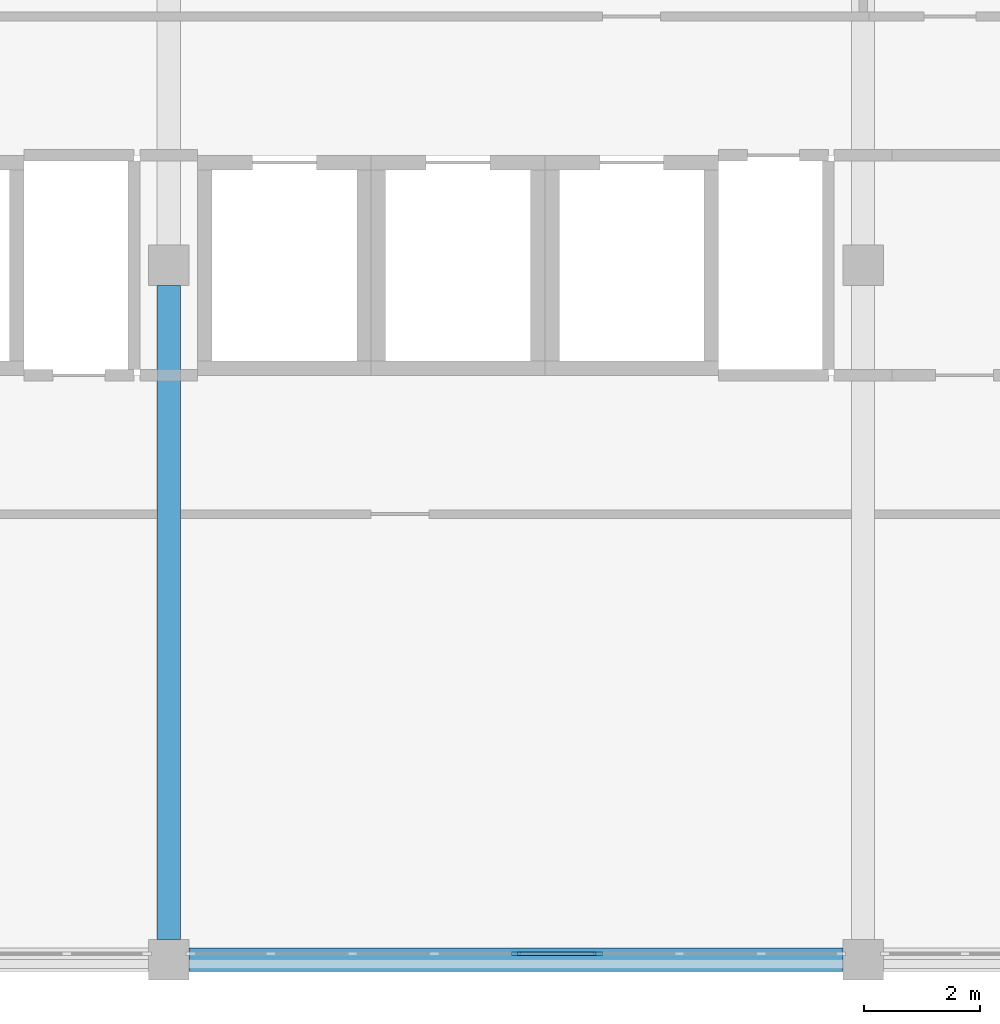
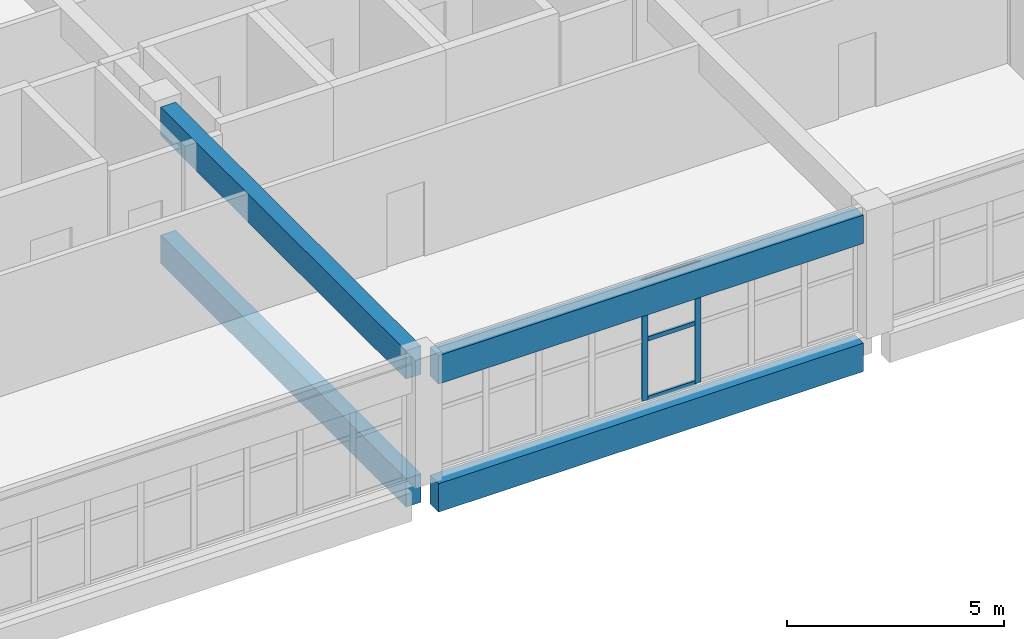
# One storey, part 4 of 16: 5 members, 4 beams, 1 element without a shape of its own.
"""IFC4 building model written with IfcOpenShell, lengths in metres."""

from ifc_helpers import new_model, si_unit, direction, frame, origin, origin_2d, place, context, subcontext, project, spatial, rectangle, extrude, material, layer, layer_set, material_profile, profile_set, type_object, element, aggregate, save


model = new_model("IFC4")

# Units and contexts
model_context = context("Model", 3, precision=1e-05, world=origin(), true_north=direction((0.0, 1.0)))
body_context = subcontext(model_context, "Body", "Model", "MODEL_VIEW")
ifc_project = project(units=[si_unit("LENGTHUNIT", "METRE"), si_unit("AREAUNIT", "SQUARE_METRE"), si_unit("VOLUMEUNIT", "CUBIC_METRE"), si_unit("PLANEANGLEUNIT", "RADIAN"), si_unit("MASSUNIT", "GRAM", prefix="KILO")], contexts=[model_context])

# Site, building, storey
site_placement = place(None, origin())
site = spatial("IfcSite", under=ifc_project, at=site_placement, CompositionType="ELEMENT")
building_placement = place(site_placement, origin())
building = spatial("IfcBuilding", under=site, at=building_placement, Name="Lilac Gate Convention Centre", CompositionType="ELEMENT")
storey_placement = place(building_placement, frame((0.0, 0.0, 67.800048828125)))
storey = spatial("IfcBuildingStorey", under=building, at=storey_placement, Name="L17", CompositionType="ELEMENT", Elevation=67.800048828125)

# Curtain wall, members
ifc_material_1 = material(Name="Aluminium framed double glazing", Category="aluminium")
ifc_layer = layer(ifc_material_1, 0.199951171875)
ifc_layer_set = layer_set([ifc_layer], Name="Aluminium framed double glazing")
curtain_wall_type = type_object("IfcCurtainWallType", Name="Unitised curtain wall 1500", PredefinedType="NOTDEFINED", material=ifc_layer_set)
curtain_wall_placement = place(storey_placement, origin())
curtain_wall = element("IfcCurtainWall", 1, at=curtain_wall_placement, inside=storey, type_object=curtain_wall_type, Name="Curtain wall S L17 3", PredefinedType="NOTDEFINED")
ifc_material_2 = material(Name="Aluminium alloy 6063", Category="aluminium")
ifc_material_profile_1 = material_profile(ifc_material_2, rectangle(XDim=0.06005859375, YDim=0.159912109375, at=origin_2d()), Name="Curtain wall mullion 60 x 160")
ifc_profile_set_1 = profile_set([ifc_material_profile_1], Name="Aluminium alloy 6063")
member_type_1 = type_object("IfcMemberType", Name="Curtain wall mullion 60 x 160", PredefinedType="MULLION", material=ifc_profile_set_1)
member_1_placement = place(storey_placement, frame((72.0, 222.10009765625, 0.0), z_axis=(0.0, 0.0, 1.0), x_axis=(0.0, 1.0, 0.0)))
member_1 = element("IfcMember", 2, at=member_1_placement, type_object=member_type_1, Name="CW mullion 5", PredefinedType="MULLION", context=body_context, shape_type="SweptSolid", body=[
    extrude(rectangle(XDim=0.06005859375, YDim=0.159912109375, at=origin_2d()), origin(), (0.0, 0.0, 1.0), 3.39990234375),
])
member_2_placement = place(storey_placement, frame((73.41259765625, 222.10009765625, 0.0), z_axis=(0.0, 0.0, 1.0), x_axis=(0.0, 1.0, 0.0)))
member_2 = element("IfcMember", 3, at=member_2_placement, type_object=member_type_1, Name="CW mullion 6", PredefinedType="MULLION", context=body_context, shape_type="SweptSolid", body=[
    extrude(rectangle(XDim=0.06005859375, YDim=0.159912109375, at=origin_2d()), origin(), (0.0, 0.0, 1.0), 3.39990234375),
])
ifc_material_profile_2 = material_profile(ifc_material_2, rectangle(XDim=0.06005859375, YDim=0.1201171875, at=origin_2d()), Name="Curtain wall transom 60 x 120")
ifc_profile_set_2 = profile_set([ifc_material_profile_2], Name="Aluminium alloy 6063")
member_type_2 = type_object("IfcMemberType", Name="Curtain wall transom 60 x 120", PredefinedType="USERDEFINED", material=ifc_profile_set_2)
member_3_placement = place(storey_placement, frame((72.030029296875, 222.10009765625, 0.030029296875), z_axis=(1.0, 0.0, 0.0), x_axis=(0.0, 1.0, 0.0)))
member_3 = element("IfcMember", 4, at=member_3_placement, type_object=member_type_2, Name="CW transom 5.1", ObjectType="TRANSOM", PredefinedType="USERDEFINED", context=body_context, shape_type="SweptSolid", body=[
    extrude(rectangle(XDim=0.06005859375, YDim=0.1201171875, at=origin_2d()), origin(), (0.0, 0.0, 1.0), 1.3525390625),
])
member_4_placement = place(storey_placement, frame((72.030029296875, 222.10009765625, 1.699951171875), z_axis=(1.0, 0.0, 0.0), x_axis=(0.0, 1.0, 0.0)))
member_4 = element("IfcMember", 5, at=member_4_placement, type_object=member_type_2, Name="CW transom 5.2", ObjectType="TRANSOM", PredefinedType="USERDEFINED", context=body_context, shape_type="SweptSolid", body=[
    extrude(rectangle(XDim=0.06005859375, YDim=0.1201171875, at=origin_2d()), origin(), (0.0, 0.0, 1.0), 1.3525390625),
])
member_5_placement = place(storey_placement, frame((72.030029296875, 222.10009765625, 3.369873046875), z_axis=(1.0, 0.0, 0.0), x_axis=(0.0, 1.0, 0.0)))
member_5 = element("IfcMember", 6, at=member_5_placement, type_object=member_type_2, Name="CW transom 5.3", ObjectType="TRANSOM", PredefinedType="USERDEFINED", context=body_context, shape_type="SweptSolid", body=[
    extrude(rectangle(XDim=0.06005859375, YDim=0.1201171875, at=origin_2d()), origin(), (0.0, 0.0, 1.0), 1.3525390625),
])
aggregate(curtain_wall, [member_1, member_2, member_3, member_4, member_5])

# Beams
ifc_material_3 = material(Name="Concrete C40", Category="concrete")
ifc_material_profile_3 = material_profile(ifc_material_3, rectangle(XDim=0.39990234375, YDim=0.800048828125, at=origin_2d()), Name="RC 400x800")
ifc_profile_set_3 = profile_set([ifc_material_profile_3], Name="Concrete C40")
beam_type = type_object("IfcBeamType", Name="Tower primary beam 400x800 C40", PredefinedType="BEAM", material=ifc_profile_set_3)
for number, where, z_axis, x_axis, name in (
    (7, (66.35009765625, 222.0, -0.60009765625), (1.0, 0.0, 0.0), (0.0, 1.0, 0.0), "RB3 L17 6/S-7/S"),
    (8, (66.0, 222.35009765625, -0.60009765625), (0.0, 1.0, 0.0), (-1.0, 0.0, 0.0), "RB3 L17 6/S-6/T"),
    (9, (66.35009765625, 222.0, 3.0), (1.0, 0.0, 0.0), (0.0, 1.0, 0.0), "RB3 L17 6/S-7/S"),
    (10, (66.0, 222.35009765625, 3.0), (0.0, 1.0, 0.0), (-1.0, 0.0, 0.0), "RB3 L17 6/S-6/T"),
):
    element("IfcBeam", number, at=place(storey_placement, frame(where, z_axis=z_axis, x_axis=x_axis)), inside=storey, type_object=beam_type, Name=name, PredefinedType="BEAM", context=body_context, shape_type="SweptSolid", body=[
        extrude(rectangle(XDim=0.39990234375, YDim=0.800048828125, at=origin_2d()), origin(), (0.0, 0.0, 1.0), 11.2998046875),
    ])

save(model, "model.ifc")
